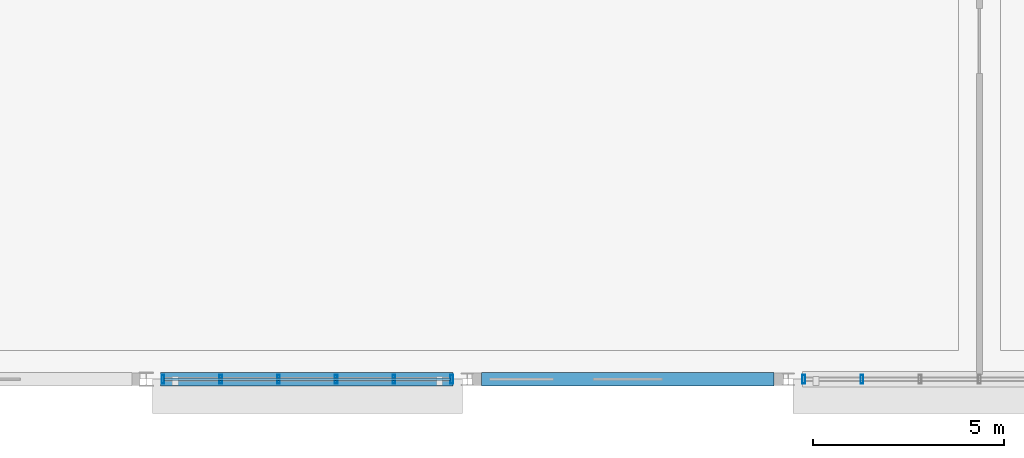
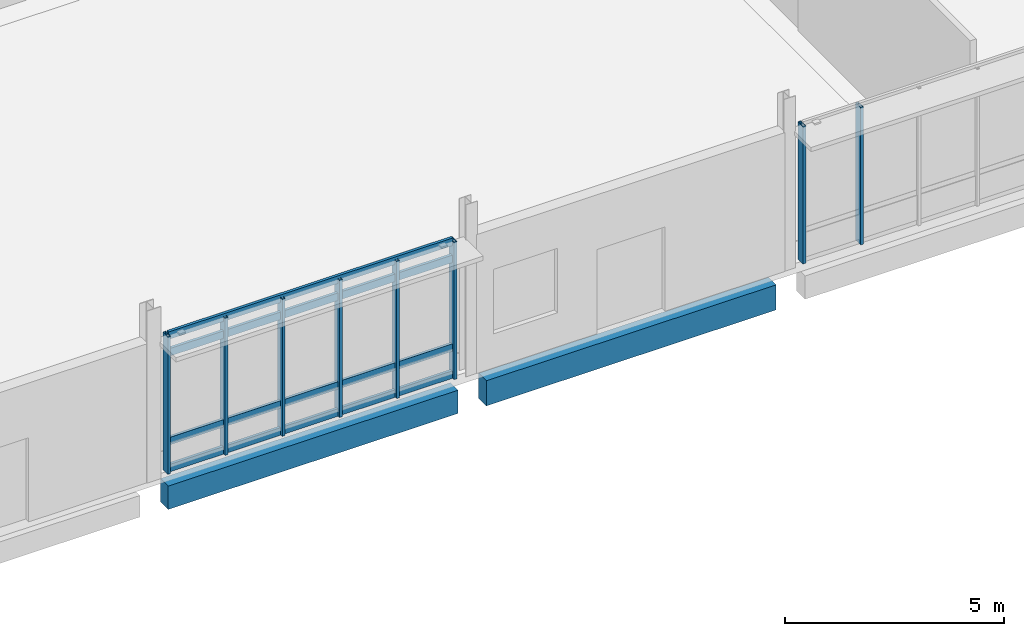
# One storey, part 18 of 95: 12 members, 2 beams, 2 elements without a shape of their own.
"""IFC4 building model written with IfcOpenShell, lengths in metres."""

from ifc_helpers import new_model, si_unit, direction, frame, origin, origin_2d, place, context, subcontext, project, spatial, rectangle, hollow_rectangle, extrude, material, layer, layer_set, material_profile, profile_set, type_object, element, aggregate, save


model = new_model("IFC4")

# Units and contexts
model_context = context("Model", 3, precision=1e-05, world=origin(), true_north=direction((0.0, 1.0)))
body_context = subcontext(model_context, "Body", "Model", "MODEL_VIEW")
ifc_project = project(units=[si_unit("LENGTHUNIT", "METRE"), si_unit("AREAUNIT", "SQUARE_METRE"), si_unit("VOLUMEUNIT", "CUBIC_METRE"), si_unit("PLANEANGLEUNIT", "RADIAN"), si_unit("MASSUNIT", "GRAM", prefix="KILO")], contexts=[model_context])

# Site, building, storey
site_placement = place(None, origin())
site = spatial("IfcSite", under=ifc_project, at=site_placement, CompositionType="ELEMENT")
building_placement = place(site_placement, origin())
building = spatial("IfcBuilding", under=site, at=building_placement, Name="Vireocrest Preparatory School", CompositionType="ELEMENT")
storey_placement = place(building_placement, origin())
storey = spatial("IfcBuildingStorey", under=building, at=storey_placement, Name="L00", CompositionType="ELEMENT", Elevation=0.0)

# Curtain wall, members
ifc_material_1 = material(Name="Thermally broken aluminium EN AW-6063-T6", Category="aluminium")
ifc_layer = layer(ifc_material_1, 0.179931640625)
ifc_layer_set = layer_set([ifc_layer], Name="Thermally broken aluminium EN AW-6063-T6")
curtain_wall_type = type_object("IfcCurtainWallType", Name="Dining Garden Storefront 8400x4400", PredefinedType="USERDEFINED", material=ifc_layer_set)
curtain_wall_1_placement = place(storey_placement, origin())
curtain_wall_1 = element("IfcCurtainWall", 1, at=curtain_wall_1_placement, inside=storey, type_object=curtain_wall_type, Name="Curtain Wall CW10 CW_L00_CW10_0676_0000_000", ObjectType="CURTAIN WALL", PredefinedType="USERDEFINED")
ifc_material_profile_1 = material_profile(ifc_material_1, hollow_rectangle(XDim=0.074951171875, YDim=0.22509765625, WallThickness=0.0048828125, at=origin_2d()), Name="ALU 75x225x5")
ifc_profile_set_1 = profile_set([ifc_material_profile_1], Name="Thermally broken aluminium EN AW-6063-T6")
member_type_1 = type_object("IfcMemberType", Name="CW Mullion 75x225x5", PredefinedType="MULLION", material=ifc_profile_set_1)
member_1_placement = place(storey_placement, frame((67.639404296875, 0.0, 0.0), z_axis=(0.0, 0.0, 1.0), x_axis=(1.0, 0.0, 0.0)))
member_1 = element("IfcMember", 2, at=member_1_placement, type_object=member_type_1, Name="CW Mullion ML4 CW_L00_CW10_0676_0000_000-1", PredefinedType="MULLION", context=body_context, shape_type="SweptSolid", body=[
    extrude(hollow_rectangle(XDim=0.074951171875, YDim=0.22509765625, WallThickness=0.0048828125, at=origin_2d()), origin(), (0.0, 0.0, 1.0), 3.842041015625),
])
member_2_placement = place(storey_placement, frame((69.150146484375, 0.0, 0.0), z_axis=(0.0, 0.0, 1.0), x_axis=(1.0, 0.0, 0.0)))
member_2 = element("IfcMember", 3, at=member_2_placement, type_object=member_type_1, Name="CW Mullion ML4 CW_L00_CW10_0676_0000_000-2", PredefinedType="MULLION", context=body_context, shape_type="SweptSolid", body=[
    extrude(hollow_rectangle(XDim=0.074951171875, YDim=0.22509765625, WallThickness=0.0048828125, at=origin_2d()), origin(), (0.0, 0.0, 1.0), 3.842041015625),
])
member_3_placement = place(storey_placement, frame((70.66064453125, 0.0, 0.0), z_axis=(0.0, 0.0, 1.0), x_axis=(1.0, 0.0, 0.0)))
member_3 = element("IfcMember", 4, at=member_3_placement, type_object=member_type_1, Name="CW Mullion ML4 CW_L00_CW10_0676_0000_000-3", PredefinedType="MULLION", context=body_context, shape_type="SweptSolid", body=[
    extrude(hollow_rectangle(XDim=0.074951171875, YDim=0.22509765625, WallThickness=0.0048828125, at=origin_2d()), origin(), (0.0, 0.0, 1.0), 3.842041015625),
])
member_4_placement = place(storey_placement, frame((72.17138671875, 0.0, 0.0), z_axis=(0.0, 0.0, 1.0), x_axis=(1.0, 0.0, 0.0)))
member_4 = element("IfcMember", 5, at=member_4_placement, type_object=member_type_1, Name="CW Mullion ML4 CW_L00_CW10_0676_0000_000-4", PredefinedType="MULLION", context=body_context, shape_type="SweptSolid", body=[
    extrude(hollow_rectangle(XDim=0.074951171875, YDim=0.22509765625, WallThickness=0.0048828125, at=origin_2d()), origin(), (0.0, 0.0, 1.0), 3.842041015625),
])
member_5_placement = place(storey_placement, frame((73.681884765625, 0.0, 0.0), z_axis=(0.0, 0.0, 1.0), x_axis=(1.0, 0.0, 0.0)))
member_5 = element("IfcMember", 6, at=member_5_placement, type_object=member_type_1, Name="CW Mullion ML4 CW_L00_CW10_0676_0000_000-5", PredefinedType="MULLION", context=body_context, shape_type="SweptSolid", body=[
    extrude(hollow_rectangle(XDim=0.074951171875, YDim=0.22509765625, WallThickness=0.0048828125, at=origin_2d()), origin(), (0.0, 0.0, 1.0), 3.842041015625),
])
member_6_placement = place(storey_placement, frame((75.1923828125, 0.0, 0.0), z_axis=(0.0, 0.0, 1.0), x_axis=(1.0, 0.0, 0.0)))
member_6 = element("IfcMember", 7, at=member_6_placement, type_object=member_type_1, Name="CW Mullion ML4 CW_L00_CW10_0676_0000_000-6", PredefinedType="MULLION", context=body_context, shape_type="SweptSolid", body=[
    extrude(hollow_rectangle(XDim=0.074951171875, YDim=0.22509765625, WallThickness=0.0048828125, at=origin_2d()), origin(), (0.0, 0.0, 1.0), 3.842041015625),
])

curtain_wall_2_placement = place(storey_placement, origin())
curtain_wall_2 = element("IfcCurtainWall", 8, at=curtain_wall_2_placement, inside=storey, type_object=curtain_wall_type, Name="Curtain Wall CW10 CW_L00_CW10_0843_0000_000", ObjectType="CURTAIN WALL", PredefinedType="USERDEFINED")
member_7_placement = place(storey_placement, frame((84.407470703125, 0.0, 0.0), z_axis=(0.0, 0.0, 1.0), x_axis=(1.0, 0.0, 0.0)))
member_7 = element("IfcMember", 9, at=member_7_placement, type_object=member_type_1, Name="CW Mullion ML4 CW_L00_CW10_0843_0000_000-1", PredefinedType="MULLION", context=body_context, shape_type="SweptSolid", body=[
    extrude(hollow_rectangle(XDim=0.074951171875, YDim=0.22509765625, WallThickness=0.0048828125, at=origin_2d()), origin(), (0.0, 0.0, 1.0), 3.842041015625),
])
member_8_placement = place(storey_placement, frame((85.929443359375, 0.0, 0.0), z_axis=(0.0, 0.0, 1.0), x_axis=(1.0, 0.0, 0.0)))
member_8 = element("IfcMember", 10, at=member_8_placement, type_object=member_type_1, Name="CW Mullion ML4 CW_L00_CW10_0843_0000_000-2", PredefinedType="MULLION", context=body_context, shape_type="SweptSolid", body=[
    extrude(hollow_rectangle(XDim=0.074951171875, YDim=0.22509765625, WallThickness=0.0048828125, at=origin_2d()), origin(), (0.0, 0.0, 1.0), 3.842041015625),
])
aggregate(curtain_wall_2, [member_7, member_8])

# Member
ifc_material_profile_2 = material_profile(ifc_material_1, hollow_rectangle(XDim=0.074951171875, YDim=0.2099609375, WallThickness=0.0048828125, at=origin_2d()), Name="ALU 75x210x5")
ifc_profile_set_2 = profile_set([ifc_material_profile_2], Name="Thermally broken aluminium EN AW-6063-T6")
member_type_2 = type_object("IfcMemberType", Name="CW Transom 75x210x5", PredefinedType="USERDEFINED", material=ifc_profile_set_2)
member_9_placement = place(storey_placement, frame((67.66455078125, 0.0, 0.094970703125), z_axis=(1.0, 0.0, 0.0), x_axis=(0.0, 1.0, 0.0)))
member_9 = element("IfcMember", 11, at=member_9_placement, type_object=member_type_2, Name="CW Transom TR4 CW_L00_CW10_0676_0000_000-1", ObjectType="TRANSOM", PredefinedType="USERDEFINED", context=body_context, shape_type="SweptSolid", body=[
    extrude(hollow_rectangle(XDim=0.074951171875, YDim=0.2099609375, WallThickness=0.0048828125, at=origin_2d()), origin(), (0.0, 0.0, 1.0), 7.5029296875),
])

member_10_placement = place(storey_placement, frame((67.66455078125, 0.0, 0.85009765625), z_axis=(1.0, 0.0, 0.0), x_axis=(0.0, 1.0, 0.0)))
member_10 = element("IfcMember", 12, at=member_10_placement, type_object=member_type_2, Name="CW Transom TR4 CW_L00_CW10_0676_0000_000-2", ObjectType="TRANSOM", PredefinedType="USERDEFINED", context=body_context, shape_type="SweptSolid", body=[
    extrude(hollow_rectangle(XDim=0.074951171875, YDim=0.2099609375, WallThickness=0.0048828125, at=origin_2d()), origin(), (0.0, 0.0, 1.0), 7.5029296875),
])

member_11_placement = place(storey_placement, frame((67.66455078125, 0.0, 3.326904296875), z_axis=(1.0, 0.0, 0.0), x_axis=(0.0, 1.0, 0.0)))
member_11 = element("IfcMember", 13, at=member_11_placement, type_object=member_type_2, Name="CW Transom TR4 CW_L00_CW10_0676_0000_000-3", ObjectType="TRANSOM", PredefinedType="USERDEFINED", context=body_context, shape_type="SweptSolid", body=[
    extrude(hollow_rectangle(XDim=0.074951171875, YDim=0.2099609375, WallThickness=0.0048828125, at=origin_2d()), origin(), (0.0, 0.0, 1.0), 7.5029296875),
])

member_12_placement = place(storey_placement, frame((67.66455078125, 0.0, 3.802001953125), z_axis=(1.0, 0.0, 0.0), x_axis=(0.0, 1.0, 0.0)))
member_12 = element("IfcMember", 14, at=member_12_placement, type_object=member_type_2, Name="CW Transom TR4 CW_L00_CW10_0676_0000_000-4", ObjectType="TRANSOM", PredefinedType="USERDEFINED", context=body_context, shape_type="SweptSolid", body=[
    extrude(hollow_rectangle(XDim=0.074951171875, YDim=0.2099609375, WallThickness=0.0048828125, at=origin_2d()), origin(), (0.0, 0.0, 1.0), 7.5029296875),
])

aggregate(curtain_wall_1, [member_1, member_2, member_3, member_4, member_5, member_6, member_9, member_10, member_11, member_12])

# Beams
ifc_material_2 = material(Name="Concrete 40 MPa", Category="concrete")
ifc_material_profile_3 = material_profile(ifc_material_2, rectangle(XDim=0.35009765625, YDim=0.64990234375, at=origin_2d()), Name="RC 350x650")
ifc_profile_set_3 = profile_set([ifc_material_profile_3], Name="Concrete 40 MPa")
beam_type_1 = type_object("IfcBeamType", Name="RC Classroom Girder 350x650", PredefinedType="BEAM", material=ifc_profile_set_3)
beam_1_placement = place(storey_placement, frame((67.574951171875, 0.0, -0.60498046875), z_axis=(1.0, 0.0, 0.0), x_axis=(0.0, 1.0, 0.0)))
element("IfcBeam", 15, at=beam_1_placement, inside=storey, type_object=beam_type_1, Name="Primary Girder B05 L00-0003", PredefinedType="BEAM", context=body_context, shape_type="SweptSolid", body=[
    extrude(rectangle(XDim=0.35009765625, YDim=0.64990234375, at=origin_2d()), origin(), (0.0, 0.0, 1.0), 7.650146484375),
])
ifc_material_profile_4 = material_profile(ifc_material_2, rectangle(XDim=0.35009765625, YDim=0.699951171875, at=origin_2d()), Name="RC 350x700")
ifc_profile_set_4 = profile_set([ifc_material_profile_4], Name="Concrete 40 MPa")
beam_type_2 = type_object("IfcBeamType", Name="RC Laboratory Girder 350x700", PredefinedType="BEAM", material=ifc_profile_set_4)
beam_2_placement = place(storey_placement, frame((75.97509765625, 0.0, -0.6298828125), z_axis=(1.0, 0.0, 0.0), x_axis=(0.0, 1.0, 0.0)))
element("IfcBeam", 16, at=beam_2_placement, inside=storey, type_object=beam_type_2, Name="Primary Girder B06 L00-0004", PredefinedType="BEAM", context=body_context, shape_type="SweptSolid", body=[
    extrude(rectangle(XDim=0.35009765625, YDim=0.699951171875, at=origin_2d()), origin(), (0.0, 0.0, 1.0), 7.64990234375),
])

save(model, "model.ifc")
